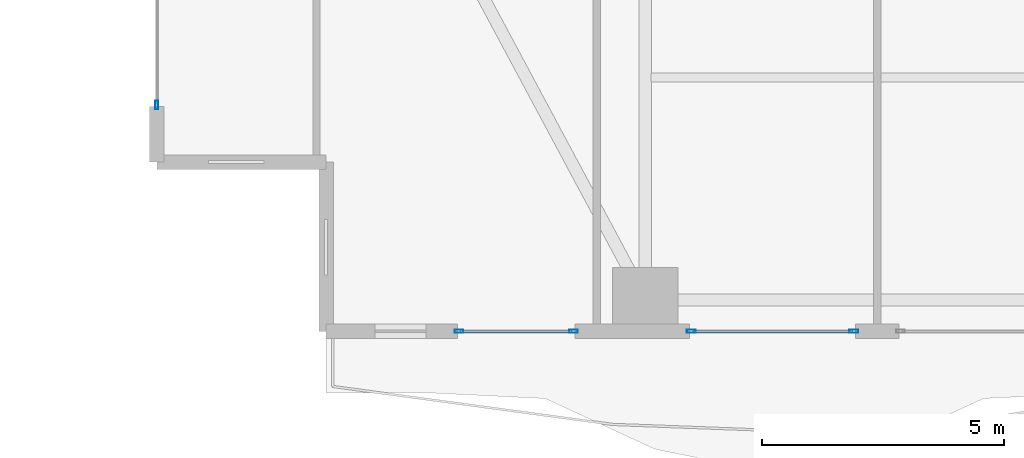
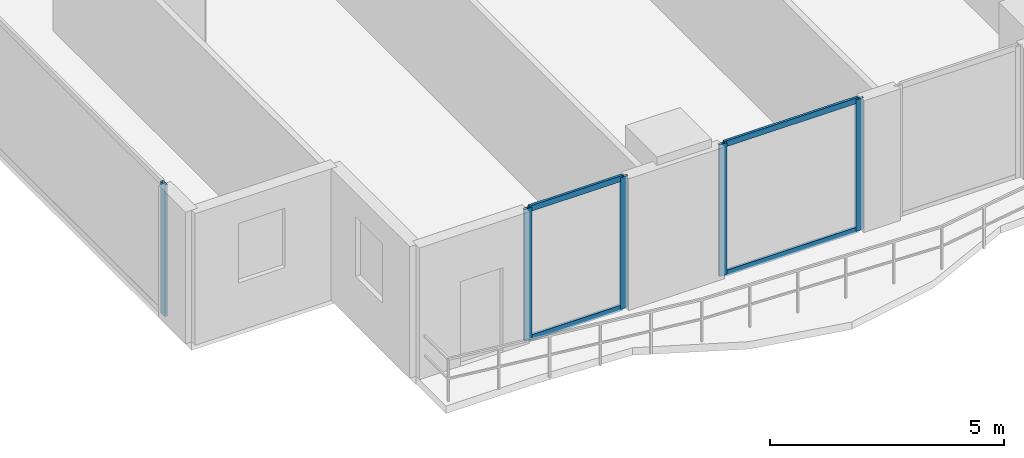
# One storey, part 2 of 29: 9 members, 3 elements without a shape of their own.
"""IFC4 building model written with IfcOpenShell, lengths in metres."""

from ifc_helpers import new_model, si_unit, direction, frame, origin, origin_2d, place, context, subcontext, project, spatial, hollow_rectangle, extrude, material, layer, layer_set, material_profile, profile_set, type_object, element, aggregate, save


model = new_model("IFC4")

# Units and contexts
model_context = context("Model", 3, precision=1e-05, world=origin(), true_north=direction((0.0, 1.0)))
body_context = subcontext(model_context, "Body", "Model", "MODEL_VIEW")
ifc_project = project(units=[si_unit("LENGTHUNIT", "METRE"), si_unit("AREAUNIT", "SQUARE_METRE"), si_unit("VOLUMEUNIT", "CUBIC_METRE"), si_unit("PLANEANGLEUNIT", "RADIAN"), si_unit("MASSUNIT", "GRAM", prefix="KILO")], contexts=[model_context])

# Site, building, storey
site_placement = place(None, origin())
site = spatial("IfcSite", under=ifc_project, at=site_placement, CompositionType="ELEMENT")
building_placement = place(site_placement, origin())
building = spatial("IfcBuilding", under=site, at=building_placement, Name="Zuhayl Quay Hotel", CompositionType="ELEMENT")
storey_placement = place(building_placement, frame((0.0, 0.0, 150.39990234375)))
storey = spatial("IfcBuildingStorey", under=building, at=storey_placement, Name="L38", CompositionType="ELEMENT", Elevation=150.39990234375)

# Curtain wall, member
ifc_material_1 = material(Name="Anodised Aluminium 6063-T6", Category="aluminium")
ifc_layer = layer(ifc_material_1, 0.179931640625, Name="Anodised Aluminium 6063-T6", Category="aluminium")
ifc_layer_set = layer_set([ifc_layer], Name="Anodised Aluminium 6063-T6")
curtain_wall_type = type_object("IfcCurtainWallType", Name="CW_SYS_Z2", PredefinedType="USERDEFINED", material=ifc_layer_set)
curtain_wall_1_placement = place(storey_placement, origin())
curtain_wall_1 = element("IfcCurtainWall", 1, at=curtain_wall_1_placement, inside=storey, type_object=curtain_wall_type, Name="L38 Curtain Wall ENV_L38_E02_CW1", ObjectType="UNITISED CURTAIN WALL", PredefinedType="USERDEFINED")
ifc_material_2 = material(Name="Black-anodised aluminium 6063-T6", Category="aluminium")
ifc_material_profile_1 = material_profile(ifc_material_2, hollow_rectangle(XDim=0.06494140625, YDim=0.179931640625, WallThickness=0.00341796875, at=origin_2d()), Name="ALU180X65")
ifc_profile_set_1 = profile_set([ifc_material_profile_1], Name="Black-anodised aluminium 6063-T6")
member_type_1 = type_object("IfcMemberType", Name="MB_CW_MUL_180", PredefinedType="MULLION", material=ifc_profile_set_1)
member_1_placement = place(storey_placement, frame((-23.89990234375, -10.717529296875, 0.0), z_axis=(0.0, 0.0, 1.0), x_axis=(-1.0, 0.0, 0.0)))
member_1 = element("IfcMember", 2, at=member_1_placement, type_object=member_type_1, Name="CW-Z2 mullion 1", PredefinedType="MULLION", context=body_context, shape_type="SweptSolid", body=[
    extrude(hollow_rectangle(XDim=0.06494140625, YDim=0.179931640625, WallThickness=0.00341796875, at=origin_2d()), origin(), (0.0, 0.0, 1.0), 3.43017578125),
])
aggregate(curtain_wall_1, [member_1])

# Curtain wall, members
curtain_wall_2_placement = place(storey_placement, origin())
curtain_wall_2 = element("IfcCurtainWall", 3, at=curtain_wall_2_placement, inside=storey, type_object=curtain_wall_type, Name="L38 Curtain Wall ENV_L38_S_CW6", ObjectType="UNITISED CURTAIN WALL", PredefinedType="USERDEFINED")
member_2_placement = place(storey_placement, frame((-9.482421875, -15.39990234375, 0.0), z_axis=(0.0, 0.0, 1.0), x_axis=(0.0, -1.0, 0.0)))
member_2 = element("IfcMember", 4, at=member_2_placement, type_object=member_type_1, Name="CW-Z2 mullion 1", PredefinedType="MULLION", context=body_context, shape_type="SweptSolid", body=[
    extrude(hollow_rectangle(XDim=0.06494140625, YDim=0.179931640625, WallThickness=0.00341796875, at=origin_2d()), origin(), (0.0, 0.0, 1.0), 3.43017578125),
])
member_3_placement = place(storey_placement, frame((-12.847412109375, -15.39990234375, 0.0), z_axis=(0.0, 0.0, 1.0), x_axis=(0.0, -1.0, 0.0)))
member_3 = element("IfcMember", 5, at=member_3_placement, type_object=member_type_1, Name="CW-Z2 mullion 2", PredefinedType="MULLION", context=body_context, shape_type="SweptSolid", body=[
    extrude(hollow_rectangle(XDim=0.06494140625, YDim=0.179931640625, WallThickness=0.00341796875, at=origin_2d()), origin(), (0.0, 0.0, 1.0), 3.43017578125),
])

curtain_wall_3_placement = place(storey_placement, origin())
curtain_wall_3 = element("IfcCurtainWall", 6, at=curtain_wall_3_placement, inside=storey, type_object=curtain_wall_type, Name="L38 Curtain Wall ENV_L38_S_CW7", ObjectType="UNITISED CURTAIN WALL", PredefinedType="USERDEFINED")
member_4_placement = place(storey_placement, frame((-15.282470703125, -15.39990234375, 0.0), z_axis=(0.0, 0.0, 1.0), x_axis=(0.0, -1.0, 0.0)))
member_4 = element("IfcMember", 7, at=member_4_placement, type_object=member_type_1, Name="CW-Z2 mullion 1", PredefinedType="MULLION", context=body_context, shape_type="SweptSolid", body=[
    extrude(hollow_rectangle(XDim=0.06494140625, YDim=0.179931640625, WallThickness=0.00341796875, at=origin_2d()), origin(), (0.0, 0.0, 1.0), 3.43017578125),
])
member_5_placement = place(storey_placement, frame((-17.652587890625, -15.39990234375, 0.0), z_axis=(0.0, 0.0, 1.0), x_axis=(0.0, -1.0, 0.0)))
member_5 = element("IfcMember", 8, at=member_5_placement, type_object=member_type_1, Name="CW-Z2 mullion 2", PredefinedType="MULLION", context=body_context, shape_type="SweptSolid", body=[
    extrude(hollow_rectangle(XDim=0.06494140625, YDim=0.179931640625, WallThickness=0.00341796875, at=origin_2d()), origin(), (0.0, 0.0, 1.0), 3.43017578125),
])

# Member
ifc_material_profile_2 = material_profile(ifc_material_2, hollow_rectangle(XDim=0.06005859375, YDim=0.14990234375, WallThickness=0.00341796875, at=origin_2d()), Name="ALU150X60")
ifc_profile_set_2 = profile_set([ifc_material_profile_2], Name="Black-anodised aluminium 6063-T6")
member_type_2 = type_object("IfcMemberType", Name="MB_CW_TRN_150", PredefinedType="USERDEFINED", material=ifc_profile_set_2)
member_6_placement = place(storey_placement, frame((-9.514892578125, -15.39990234375, 0.030029296875), z_axis=(-1.0, 0.0, 0.0), x_axis=(0.0, -1.0, 0.0)))
member_6 = element("IfcMember", 9, at=member_6_placement, type_object=member_type_2, Name="CW-Z2 transom 1.1", ObjectType="TRANSOM", PredefinedType="USERDEFINED", context=body_context, shape_type="SweptSolid", body=[
    extrude(hollow_rectangle(XDim=0.06005859375, YDim=0.14990234375, WallThickness=0.00341796875, at=origin_2d()), origin(), (0.0, 0.0, 1.0), 3.300048828125),
])

member_7_placement = place(storey_placement, frame((-9.514892578125, -15.39990234375, 3.400146484375), z_axis=(-1.0, 0.0, 0.0), x_axis=(0.0, -1.0, 0.0)))
member_7 = element("IfcMember", 10, at=member_7_placement, type_object=member_type_2, Name="CW-Z2 transom 1.2", ObjectType="TRANSOM", PredefinedType="USERDEFINED", context=body_context, shape_type="SweptSolid", body=[
    extrude(hollow_rectangle(XDim=0.06005859375, YDim=0.14990234375, WallThickness=0.00341796875, at=origin_2d()), origin(), (0.0, 0.0, 1.0), 3.300048828125),
])

aggregate(curtain_wall_2, [member_2, member_3, member_6, member_7])

member_8_placement = place(storey_placement, frame((-15.31494140625, -15.39990234375, 0.030029296875), z_axis=(-1.0, 0.0, 0.0), x_axis=(0.0, -1.0, 0.0)))
member_8 = element("IfcMember", 11, at=member_8_placement, type_object=member_type_2, Name="CW-Z2 transom 1.1", ObjectType="TRANSOM", PredefinedType="USERDEFINED", context=body_context, shape_type="SweptSolid", body=[
    extrude(hollow_rectangle(XDim=0.06005859375, YDim=0.14990234375, WallThickness=0.00341796875, at=origin_2d()), origin(), (0.0, 0.0, 1.0), 2.30517578125),
])

member_9_placement = place(storey_placement, frame((-15.31494140625, -15.39990234375, 3.400146484375), z_axis=(-1.0, 0.0, 0.0), x_axis=(0.0, -1.0, 0.0)))
member_9 = element("IfcMember", 12, at=member_9_placement, type_object=member_type_2, Name="CW-Z2 transom 1.2", ObjectType="TRANSOM", PredefinedType="USERDEFINED", context=body_context, shape_type="SweptSolid", body=[
    extrude(hollow_rectangle(XDim=0.06005859375, YDim=0.14990234375, WallThickness=0.00341796875, at=origin_2d()), origin(), (0.0, 0.0, 1.0), 2.30517578125),
])

aggregate(curtain_wall_3, [member_4, member_5, member_8, member_9])

save(model, "model.ifc")
